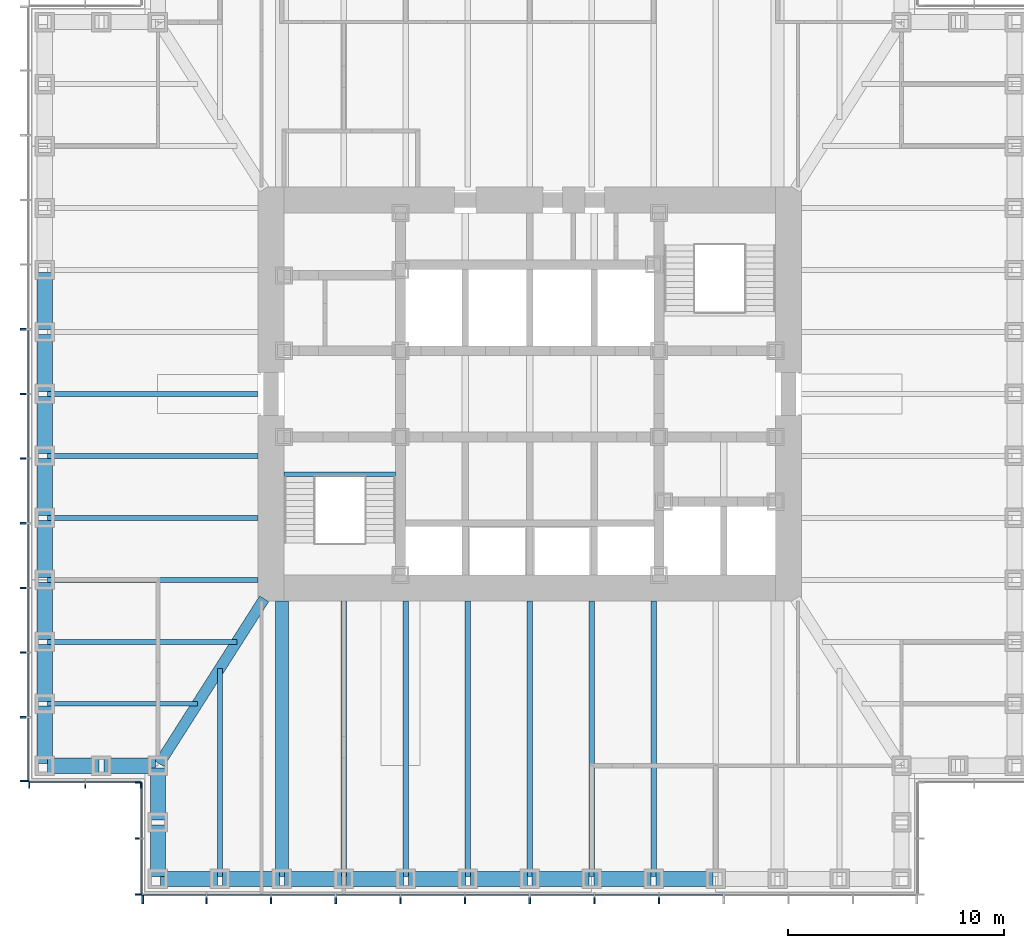
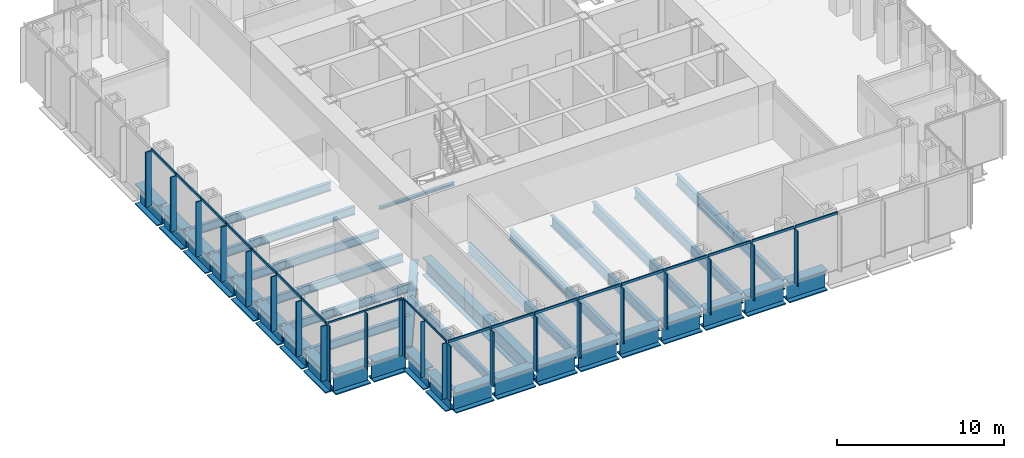
# One storey, part 2 of 17: 43 members, 37 beams, 4 elements without a shape of their own.
"""IFC4 building model written with IfcOpenShell, lengths in metres."""

from ifc_helpers import new_model, si_unit, direction, frame, origin, origin_2d, place, context, subcontext, project, spatial, rectangle, i_section, extrude, material, material_profile, profile_set, type_object, element, aggregate, save


model = new_model("IFC4")

# Units and contexts
model_context = context("Model", 3, precision=1e-05, world=origin(), true_north=direction((0.0, 1.0)))
body_context = subcontext(model_context, "Body", "Model", "MODEL_VIEW")
ifc_project = project(units=[si_unit("LENGTHUNIT", "METRE"), si_unit("AREAUNIT", "SQUARE_METRE"), si_unit("VOLUMEUNIT", "CUBIC_METRE"), si_unit("PLANEANGLEUNIT", "RADIAN"), si_unit("MASSUNIT", "GRAM", prefix="KILO")], contexts=[model_context])

# Site, building, storey
site_placement = place(None, origin())
site = spatial("IfcSite", under=ifc_project, at=site_placement, CompositionType="ELEMENT")
building_placement = place(site_placement, origin())
building = spatial("IfcBuilding", under=site, at=building_placement, Name="Daluyong Arena Tower", CompositionType="ELEMENT")
storey_placement = place(building_placement, frame((0.0, 0.0, 129.10009765625)))
storey = spatial("IfcBuildingStorey", under=building, at=storey_placement, Name="L28", CompositionType="ELEMENT", Elevation=129.10009765625)

# Curtain wall, members
ifc_material_1 = material(Name="Bronze anodised aluminium and glass", Category="aluminium")
curtain_wall_type_1 = type_object("IfcCurtainWallType", Name="Curtain wall CW2", PredefinedType="USERDEFINED", material=ifc_material_1)
curtain_wall_1_placement = place(storey_placement, origin())
curtain_wall_1 = element("IfcCurtainWall", 1, at=curtain_wall_1_placement, inside=storey, type_object=curtain_wall_type_1, Name="curtain wall L28 S", ObjectType="UNITISED CURTAIN WALL", PredefinedType="USERDEFINED")
ifc_material_2 = material(Name="Bronze anodised aluminium fin", Category="aluminium")
ifc_material_profile_1 = material_profile(ifc_material_2, rectangle(XDim=0.39990234375, YDim=0.080078125, at=origin_2d()))
ifc_profile_set_1 = profile_set([ifc_material_profile_1], Name="Bronze anodised aluminium fin")
member_type_1 = type_object("IfcMemberType", Name="CW2 bronze fin 400x80", PredefinedType="MULLION", material=ifc_profile_set_1)
member_1_placement = place(storey_placement, frame((38.0400390625, 56.550048828125, 0.0), z_axis=(0.0, 0.0, 1.0), x_axis=(0.0, 1.0, 0.0)))
member_1 = element("IfcMember", 2, at=member_1_placement, type_object=member_type_1, Name="curtain wall L28 S fin 1", PredefinedType="MULLION", context=body_context, shape_type="SweptSolid", body=[
    extrude(rectangle(XDim=0.39990234375, YDim=0.080078125, at=origin_2d()), origin(), (0.0, 0.0, 1.0), 4.02001953125),
])
member_2_placement = place(storey_placement, frame((41.0, 56.550048828125, 0.0), z_axis=(0.0, 0.0, 1.0), x_axis=(0.0, 1.0, 0.0)))
member_2 = element("IfcMember", 3, at=member_2_placement, type_object=member_type_1, Name="curtain wall L28 S fin 2", PredefinedType="MULLION", context=body_context, shape_type="SweptSolid", body=[
    extrude(rectangle(XDim=0.39990234375, YDim=0.080078125, at=origin_2d()), origin(), (0.0, 0.0, 1.0), 4.02001953125),
])
member_3_placement = place(storey_placement, frame((44.0, 56.550048828125, 0.0), z_axis=(0.0, 0.0, 1.0), x_axis=(0.0, 1.0, 0.0)))
member_3 = element("IfcMember", 4, at=member_3_placement, type_object=member_type_1, Name="curtain wall L28 S fin 3", PredefinedType="MULLION", context=body_context, shape_type="SweptSolid", body=[
    extrude(rectangle(XDim=0.39990234375, YDim=0.080078125, at=origin_2d()), origin(), (0.0, 0.0, 1.0), 4.02001953125),
])
member_4_placement = place(storey_placement, frame((47.0, 56.550048828125, 0.0), z_axis=(0.0, 0.0, 1.0), x_axis=(0.0, 1.0, 0.0)))
member_4 = element("IfcMember", 5, at=member_4_placement, type_object=member_type_1, Name="curtain wall L28 S fin 4", PredefinedType="MULLION", context=body_context, shape_type="SweptSolid", body=[
    extrude(rectangle(XDim=0.39990234375, YDim=0.080078125, at=origin_2d()), origin(), (0.0, 0.0, 1.0), 4.02001953125),
])
member_5_placement = place(storey_placement, frame((50.0, 56.550048828125, 0.0), z_axis=(0.0, 0.0, 1.0), x_axis=(0.0, 1.0, 0.0)))
member_5 = element("IfcMember", 6, at=member_5_placement, type_object=member_type_1, Name="curtain wall L28 S fin 5", PredefinedType="MULLION", context=body_context, shape_type="SweptSolid", body=[
    extrude(rectangle(XDim=0.39990234375, YDim=0.080078125, at=origin_2d()), origin(), (0.0, 0.0, 1.0), 4.02001953125),
])
member_6_placement = place(storey_placement, frame((53.0, 56.550048828125, 0.0), z_axis=(0.0, 0.0, 1.0), x_axis=(0.0, 1.0, 0.0)))
member_6 = element("IfcMember", 7, at=member_6_placement, type_object=member_type_1, Name="curtain wall L28 S fin 6", PredefinedType="MULLION", context=body_context, shape_type="SweptSolid", body=[
    extrude(rectangle(XDim=0.39990234375, YDim=0.080078125, at=origin_2d()), origin(), (0.0, 0.0, 1.0), 4.02001953125),
])
member_7_placement = place(storey_placement, frame((56.0, 56.550048828125, 0.0), z_axis=(0.0, 0.0, 1.0), x_axis=(0.0, 1.0, 0.0)))
member_7 = element("IfcMember", 8, at=member_7_placement, type_object=member_type_1, Name="curtain wall L28 S fin 7", PredefinedType="MULLION", context=body_context, shape_type="SweptSolid", body=[
    extrude(rectangle(XDim=0.39990234375, YDim=0.080078125, at=origin_2d()), origin(), (0.0, 0.0, 1.0), 4.02001953125),
])
member_8_placement = place(storey_placement, frame((59.0, 56.550048828125, 0.0), z_axis=(0.0, 0.0, 1.0), x_axis=(0.0, 1.0, 0.0)))
member_8 = element("IfcMember", 9, at=member_8_placement, type_object=member_type_1, Name="curtain wall L28 S fin 8", PredefinedType="MULLION", context=body_context, shape_type="SweptSolid", body=[
    extrude(rectangle(XDim=0.39990234375, YDim=0.080078125, at=origin_2d()), origin(), (0.0, 0.0, 1.0), 4.02001953125),
])
member_9_placement = place(storey_placement, frame((62.0, 56.550048828125, 0.0), z_axis=(0.0, 0.0, 1.0), x_axis=(0.0, 1.0, 0.0)))
member_9 = element("IfcMember", 10, at=member_9_placement, type_object=member_type_1, Name="curtain wall L28 S fin 9", PredefinedType="MULLION", context=body_context, shape_type="SweptSolid", body=[
    extrude(rectangle(XDim=0.39990234375, YDim=0.080078125, at=origin_2d()), origin(), (0.0, 0.0, 1.0), 4.02001953125),
])

curtain_wall_2_placement = place(storey_placement, origin())
curtain_wall_2 = element("IfcCurtainWall", 11, at=curtain_wall_2_placement, inside=storey, type_object=curtain_wall_type_1, Name="curtain wall L28 W", ObjectType="UNITISED CURTAIN WALL", PredefinedType="USERDEFINED")
member_10_placement = place(storey_placement, frame((32.550048828125, 83.0, 0.0), z_axis=(0.0, 0.0, 1.0), x_axis=(1.0, 0.0, 0.0)))
member_10 = element("IfcMember", 12, at=member_10_placement, type_object=member_type_1, Name="curtain wall L28 W fin 6", PredefinedType="MULLION", context=body_context, shape_type="SweptSolid", body=[
    extrude(rectangle(XDim=0.39990234375, YDim=0.080078125, at=origin_2d()), origin(), (0.0, 0.0, 1.0), 4.02001953125),
])
member_11_placement = place(storey_placement, frame((32.550048828125, 80.0, 0.0), z_axis=(0.0, 0.0, 1.0), x_axis=(1.0, 0.0, 0.0)))
member_11 = element("IfcMember", 13, at=member_11_placement, type_object=member_type_1, Name="curtain wall L28 W fin 7", PredefinedType="MULLION", context=body_context, shape_type="SweptSolid", body=[
    extrude(rectangle(XDim=0.39990234375, YDim=0.080078125, at=origin_2d()), origin(), (0.0, 0.0, 1.0), 4.02001953125),
])
member_12_placement = place(storey_placement, frame((32.550048828125, 77.0, 0.0), z_axis=(0.0, 0.0, 1.0), x_axis=(1.0, 0.0, 0.0)))
member_12 = element("IfcMember", 14, at=member_12_placement, type_object=member_type_1, Name="curtain wall L28 W fin 8", PredefinedType="MULLION", context=body_context, shape_type="SweptSolid", body=[
    extrude(rectangle(XDim=0.39990234375, YDim=0.080078125, at=origin_2d()), origin(), (0.0, 0.0, 1.0), 4.02001953125),
])
member_13_placement = place(storey_placement, frame((32.550048828125, 74.0, 0.0), z_axis=(0.0, 0.0, 1.0), x_axis=(1.0, 0.0, 0.0)))
member_13 = element("IfcMember", 15, at=member_13_placement, type_object=member_type_1, Name="curtain wall L28 W fin 9", PredefinedType="MULLION", context=body_context, shape_type="SweptSolid", body=[
    extrude(rectangle(XDim=0.39990234375, YDim=0.080078125, at=origin_2d()), origin(), (0.0, 0.0, 1.0), 4.02001953125),
])
member_14_placement = place(storey_placement, frame((32.550048828125, 71.0, 0.0), z_axis=(0.0, 0.0, 1.0), x_axis=(1.0, 0.0, 0.0)))
member_14 = element("IfcMember", 16, at=member_14_placement, type_object=member_type_1, Name="curtain wall L28 W fin 10", PredefinedType="MULLION", context=body_context, shape_type="SweptSolid", body=[
    extrude(rectangle(XDim=0.39990234375, YDim=0.080078125, at=origin_2d()), origin(), (0.0, 0.0, 1.0), 4.02001953125),
])
member_15_placement = place(storey_placement, frame((32.550048828125, 68.0, 0.0), z_axis=(0.0, 0.0, 1.0), x_axis=(1.0, 0.0, 0.0)))
member_15 = element("IfcMember", 17, at=member_15_placement, type_object=member_type_1, Name="curtain wall L28 W fin 11", PredefinedType="MULLION", context=body_context, shape_type="SweptSolid", body=[
    extrude(rectangle(XDim=0.39990234375, YDim=0.080078125, at=origin_2d()), origin(), (0.0, 0.0, 1.0), 4.02001953125),
])
member_16_placement = place(storey_placement, frame((32.550048828125, 65.0, 0.0), z_axis=(0.0, 0.0, 1.0), x_axis=(1.0, 0.0, 0.0)))
member_16 = element("IfcMember", 18, at=member_16_placement, type_object=member_type_1, Name="curtain wall L28 W fin 12", PredefinedType="MULLION", context=body_context, shape_type="SweptSolid", body=[
    extrude(rectangle(XDim=0.39990234375, YDim=0.080078125, at=origin_2d()), origin(), (0.0, 0.0, 1.0), 4.02001953125),
])
member_17_placement = place(storey_placement, frame((32.550048828125, 62.0400390625, 0.0), z_axis=(0.0, 0.0, 1.0), x_axis=(1.0, 0.0, 0.0)))
member_17 = element("IfcMember", 19, at=member_17_placement, type_object=member_type_1, Name="curtain wall L28 W fin 13", PredefinedType="MULLION", context=body_context, shape_type="SweptSolid", body=[
    extrude(rectangle(XDim=0.39990234375, YDim=0.080078125, at=origin_2d()), origin(), (0.0, 0.0, 1.0), 4.02001953125),
])

# Member
ifc_material_3 = material(Name="Bronze anodised aluminium", Category="aluminium")
ifc_material_profile_2 = material_profile(ifc_material_3, rectangle(XDim=0.080078125, YDim=0.179931640625, at=origin_2d()))
ifc_profile_set_2 = profile_set([ifc_material_profile_2], Name="Bronze anodised aluminium")
member_type_2 = type_object("IfcMemberType", Name="CW2 stack transom 180x80", PredefinedType="USERDEFINED", material=ifc_profile_set_2)
member_18_placement = place(storey_placement, frame((38.080078125, 56.75, 4.10986328125), z_axis=(1.0, 0.0, 0.0), x_axis=(0.0, 1.0, 0.0)))
member_18 = element("IfcMember", 20, at=member_18_placement, type_object=member_type_2, Name="curtain wall L28 S transom 1", ObjectType="TRANSOM", PredefinedType="USERDEFINED", context=body_context, shape_type="SweptSolid", body=[
    extrude(rectangle(XDim=0.080078125, YDim=0.179931640625, at=origin_2d()), origin(), (0.0, 0.0, 1.0), 2.8798828125),
])

member_19_placement = place(storey_placement, frame((41.0400390625, 56.75, 4.10986328125), z_axis=(1.0, 0.0, 0.0), x_axis=(0.0, 1.0, 0.0)))
member_19 = element("IfcMember", 21, at=member_19_placement, type_object=member_type_2, Name="curtain wall L28 S transom 2", ObjectType="TRANSOM", PredefinedType="USERDEFINED", context=body_context, shape_type="SweptSolid", body=[
    extrude(rectangle(XDim=0.080078125, YDim=0.179931640625, at=origin_2d()), origin(), (0.0, 0.0, 1.0), 2.919921875),
])

member_20_placement = place(storey_placement, frame((44.0400390625, 56.75, 4.10986328125), z_axis=(1.0, 0.0, 0.0), x_axis=(0.0, 1.0, 0.0)))
member_20 = element("IfcMember", 22, at=member_20_placement, type_object=member_type_2, Name="curtain wall L28 S transom 3", ObjectType="TRANSOM", PredefinedType="USERDEFINED", context=body_context, shape_type="SweptSolid", body=[
    extrude(rectangle(XDim=0.080078125, YDim=0.179931640625, at=origin_2d()), origin(), (0.0, 0.0, 1.0), 2.919921875),
])

member_21_placement = place(storey_placement, frame((47.0400390625, 56.75, 4.10986328125), z_axis=(1.0, 0.0, 0.0), x_axis=(0.0, 1.0, 0.0)))
member_21 = element("IfcMember", 23, at=member_21_placement, type_object=member_type_2, Name="curtain wall L28 S transom 4", ObjectType="TRANSOM", PredefinedType="USERDEFINED", context=body_context, shape_type="SweptSolid", body=[
    extrude(rectangle(XDim=0.080078125, YDim=0.179931640625, at=origin_2d()), origin(), (0.0, 0.0, 1.0), 2.919921875),
])

member_22_placement = place(storey_placement, frame((50.0400390625, 56.75, 4.10986328125), z_axis=(1.0, 0.0, 0.0), x_axis=(0.0, 1.0, 0.0)))
member_22 = element("IfcMember", 24, at=member_22_placement, type_object=member_type_2, Name="curtain wall L28 S transom 5", ObjectType="TRANSOM", PredefinedType="USERDEFINED", context=body_context, shape_type="SweptSolid", body=[
    extrude(rectangle(XDim=0.080078125, YDim=0.179931640625, at=origin_2d()), origin(), (0.0, 0.0, 1.0), 2.919921875),
])

member_23_placement = place(storey_placement, frame((53.0400390625, 56.75, 4.10986328125), z_axis=(1.0, 0.0, 0.0), x_axis=(0.0, 1.0, 0.0)))
member_23 = element("IfcMember", 25, at=member_23_placement, type_object=member_type_2, Name="curtain wall L28 S transom 6", ObjectType="TRANSOM", PredefinedType="USERDEFINED", context=body_context, shape_type="SweptSolid", body=[
    extrude(rectangle(XDim=0.080078125, YDim=0.179931640625, at=origin_2d()), origin(), (0.0, 0.0, 1.0), 2.919921875),
])

member_24_placement = place(storey_placement, frame((56.0400390625, 56.75, 4.10986328125), z_axis=(1.0, 0.0, 0.0), x_axis=(0.0, 1.0, 0.0)))
member_24 = element("IfcMember", 26, at=member_24_placement, type_object=member_type_2, Name="curtain wall L28 S transom 7", ObjectType="TRANSOM", PredefinedType="USERDEFINED", context=body_context, shape_type="SweptSolid", body=[
    extrude(rectangle(XDim=0.080078125, YDim=0.179931640625, at=origin_2d()), origin(), (0.0, 0.0, 1.0), 2.919921875),
])

member_25_placement = place(storey_placement, frame((59.0400390625, 56.75, 4.10986328125), z_axis=(1.0, 0.0, 0.0), x_axis=(0.0, 1.0, 0.0)))
member_25 = element("IfcMember", 27, at=member_25_placement, type_object=member_type_2, Name="curtain wall L28 S transom 8", ObjectType="TRANSOM", PredefinedType="USERDEFINED", context=body_context, shape_type="SweptSolid", body=[
    extrude(rectangle(XDim=0.080078125, YDim=0.179931640625, at=origin_2d()), origin(), (0.0, 0.0, 1.0), 2.919921875),
])

member_26_placement = place(storey_placement, frame((62.0400390625, 56.75, 4.10986328125), z_axis=(1.0, 0.0, 0.0), x_axis=(0.0, 1.0, 0.0)))
member_26 = element("IfcMember", 28, at=member_26_placement, type_object=member_type_2, Name="curtain wall L28 S transom 9", ObjectType="TRANSOM", PredefinedType="USERDEFINED", context=body_context, shape_type="SweptSolid", body=[
    extrude(rectangle(XDim=0.080078125, YDim=0.179931640625, at=origin_2d()), origin(), (0.0, 0.0, 1.0), 2.919921875),
])

aggregate(curtain_wall_1, [member_1, member_2, member_3, member_4, member_5, member_6, member_7, member_8, member_9, member_18, member_19, member_20, member_21, member_22, member_23, member_24, member_25, member_26])

member_27_placement = place(storey_placement, frame((32.75, 82.9599609375, 4.10986328125), z_axis=(0.0, -1.0, 0.0), x_axis=(1.0, 0.0, 0.0)))
member_27 = element("IfcMember", 29, at=member_27_placement, type_object=member_type_2, Name="curtain wall L28 W transom 6", ObjectType="TRANSOM", PredefinedType="USERDEFINED", context=body_context, shape_type="SweptSolid", body=[
    extrude(rectangle(XDim=0.080078125, YDim=0.179931640625, at=origin_2d()), origin(), (0.0, 0.0, 1.0), 2.919921875),
])

member_28_placement = place(storey_placement, frame((32.75, 79.9599609375, 4.10986328125), z_axis=(0.0, -1.0, 0.0), x_axis=(1.0, 0.0, 0.0)))
member_28 = element("IfcMember", 30, at=member_28_placement, type_object=member_type_2, Name="curtain wall L28 W transom 7", ObjectType="TRANSOM", PredefinedType="USERDEFINED", context=body_context, shape_type="SweptSolid", body=[
    extrude(rectangle(XDim=0.080078125, YDim=0.179931640625, at=origin_2d()), origin(), (0.0, 0.0, 1.0), 2.919921875),
])

member_29_placement = place(storey_placement, frame((32.75, 76.9599609375, 4.10986328125), z_axis=(0.0, -1.0, 0.0), x_axis=(1.0, 0.0, 0.0)))
member_29 = element("IfcMember", 31, at=member_29_placement, type_object=member_type_2, Name="curtain wall L28 W transom 8", ObjectType="TRANSOM", PredefinedType="USERDEFINED", context=body_context, shape_type="SweptSolid", body=[
    extrude(rectangle(XDim=0.080078125, YDim=0.179931640625, at=origin_2d()), origin(), (0.0, 0.0, 1.0), 2.919921875),
])

member_30_placement = place(storey_placement, frame((32.75, 73.9599609375, 4.10986328125), z_axis=(0.0, -1.0, 0.0), x_axis=(1.0, 0.0, 0.0)))
member_30 = element("IfcMember", 32, at=member_30_placement, type_object=member_type_2, Name="curtain wall L28 W transom 9", ObjectType="TRANSOM", PredefinedType="USERDEFINED", context=body_context, shape_type="SweptSolid", body=[
    extrude(rectangle(XDim=0.080078125, YDim=0.179931640625, at=origin_2d()), origin(), (0.0, 0.0, 1.0), 2.919921875),
])

member_31_placement = place(storey_placement, frame((32.75, 70.9599609375, 4.10986328125), z_axis=(0.0, -1.0, 0.0), x_axis=(1.0, 0.0, 0.0)))
member_31 = element("IfcMember", 33, at=member_31_placement, type_object=member_type_2, Name="curtain wall L28 W transom 10", ObjectType="TRANSOM", PredefinedType="USERDEFINED", context=body_context, shape_type="SweptSolid", body=[
    extrude(rectangle(XDim=0.080078125, YDim=0.179931640625, at=origin_2d()), origin(), (0.0, 0.0, 1.0), 2.919921875),
])

member_32_placement = place(storey_placement, frame((32.75, 67.9599609375, 4.10986328125), z_axis=(0.0, -1.0, 0.0), x_axis=(1.0, 0.0, 0.0)))
member_32 = element("IfcMember", 34, at=member_32_placement, type_object=member_type_2, Name="curtain wall L28 W transom 11", ObjectType="TRANSOM", PredefinedType="USERDEFINED", context=body_context, shape_type="SweptSolid", body=[
    extrude(rectangle(XDim=0.080078125, YDim=0.179931640625, at=origin_2d()), origin(), (0.0, 0.0, 1.0), 2.919921875),
])

member_33_placement = place(storey_placement, frame((32.75, 64.9599609375, 4.10986328125), z_axis=(0.0, -1.0, 0.0), x_axis=(1.0, 0.0, 0.0)))
member_33 = element("IfcMember", 35, at=member_33_placement, type_object=member_type_2, Name="curtain wall L28 W transom 12", ObjectType="TRANSOM", PredefinedType="USERDEFINED", context=body_context, shape_type="SweptSolid", body=[
    extrude(rectangle(XDim=0.080078125, YDim=0.179931640625, at=origin_2d()), origin(), (0.0, 0.0, 1.0), 2.8798828125),
])

aggregate(curtain_wall_2, [member_10, member_11, member_12, member_13, member_14, member_15, member_16, member_17, member_27, member_28, member_29, member_30, member_31, member_32, member_33])

# Curtain wall, members
ifc_material_4 = material(Name="Bronze anodised aluminium and glass", Category="aluminium")
curtain_wall_type_2 = type_object("IfcCurtainWallType", Name="Curtain wall CW7", PredefinedType="USERDEFINED", material=ifc_material_4)
curtain_wall_3_placement = place(storey_placement, origin())
curtain_wall_3 = element("IfcCurtainWall", 36, at=curtain_wall_3_placement, inside=storey, type_object=curtain_wall_type_2, Name="curtain wall L28 SW-S", ObjectType="UNITISED CURTAIN WALL", PredefinedType="USERDEFINED")
ifc_material_5 = material(Name="Bronze anodised aluminium fin", Category="aluminium")
ifc_material_profile_3 = material_profile(ifc_material_5, rectangle(XDim=0.300048828125, YDim=0.06005859375, at=origin_2d()))
ifc_profile_set_3 = profile_set([ifc_material_profile_3], Name="Bronze anodised aluminium fin")
member_type_3 = type_object("IfcMemberType", Name="CW7 bronze fin 300x60", PredefinedType="MULLION", material=ifc_profile_set_3)
member_34_placement = place(storey_placement, frame((32.780029296875, 61.85009765625, 0.0), z_axis=(0.0, 0.0, 1.0), x_axis=(0.0, 1.0, 0.0)))
member_34 = element("IfcMember", 37, at=member_34_placement, type_object=member_type_3, Name="curtain wall L28 SW-S fin 1", PredefinedType="MULLION", context=body_context, shape_type="SweptSolid", body=[
    extrude(rectangle(XDim=0.300048828125, YDim=0.06005859375, at=origin_2d()), origin(), (0.0, 0.0, 1.0), 4.079833984375),
])
member_35_placement = place(storey_placement, frame((35.375, 61.85009765625, 0.0), z_axis=(0.0, 0.0, 1.0), x_axis=(0.0, 1.0, 0.0)))
member_35 = element("IfcMember", 38, at=member_35_placement, type_object=member_type_3, Name="curtain wall L28 SW-S fin 2", PredefinedType="MULLION", context=body_context, shape_type="SweptSolid", body=[
    extrude(rectangle(XDim=0.300048828125, YDim=0.06005859375, at=origin_2d()), origin(), (0.0, 0.0, 1.0), 4.079833984375),
])
member_36_placement = place(storey_placement, frame((37.969970703125, 61.85009765625, 0.0), z_axis=(0.0, 0.0, 1.0), x_axis=(0.0, 1.0, 0.0)))
member_36 = element("IfcMember", 39, at=member_36_placement, type_object=member_type_3, Name="curtain wall L28 SW-S fin 3", PredefinedType="MULLION", context=body_context, shape_type="SweptSolid", body=[
    extrude(rectangle(XDim=0.300048828125, YDim=0.06005859375, at=origin_2d()), origin(), (0.0, 0.0, 1.0), 4.079833984375),
])

curtain_wall_4_placement = place(storey_placement, origin())
curtain_wall_4 = element("IfcCurtainWall", 40, at=curtain_wall_4_placement, inside=storey, type_object=curtain_wall_type_2, Name="curtain wall L28 SW-W", ObjectType="UNITISED CURTAIN WALL", PredefinedType="USERDEFINED")
member_37_placement = place(storey_placement, frame((37.85009765625, 61.969970703125, 0.0), z_axis=(0.0, 0.0, 1.0), x_axis=(1.0, 0.0, 0.0)))
member_37 = element("IfcMember", 41, at=member_37_placement, type_object=member_type_3, Name="curtain wall L28 SW-W fin 1", PredefinedType="MULLION", context=body_context, shape_type="SweptSolid", body=[
    extrude(rectangle(XDim=0.300048828125, YDim=0.06005859375, at=origin_2d()), origin(), (0.0, 0.0, 1.0), 4.079833984375),
])
member_38_placement = place(storey_placement, frame((37.85009765625, 59.375, 0.0), z_axis=(0.0, 0.0, 1.0), x_axis=(1.0, 0.0, 0.0)))
member_38 = element("IfcMember", 42, at=member_38_placement, type_object=member_type_3, Name="curtain wall L28 SW-W fin 2", PredefinedType="MULLION", context=body_context, shape_type="SweptSolid", body=[
    extrude(rectangle(XDim=0.300048828125, YDim=0.06005859375, at=origin_2d()), origin(), (0.0, 0.0, 1.0), 4.079833984375),
])
member_39_placement = place(storey_placement, frame((37.85009765625, 56.780029296875, 0.0), z_axis=(0.0, 0.0, 1.0), x_axis=(1.0, 0.0, 0.0)))
member_39 = element("IfcMember", 43, at=member_39_placement, type_object=member_type_3, Name="curtain wall L28 SW-W fin 3", PredefinedType="MULLION", context=body_context, shape_type="SweptSolid", body=[
    extrude(rectangle(XDim=0.300048828125, YDim=0.06005859375, at=origin_2d()), origin(), (0.0, 0.0, 1.0), 4.079833984375),
])

# Member
ifc_material_6 = material(Name="Bronze anodised aluminium", Category="aluminium")
ifc_material_profile_4 = material_profile(ifc_material_6, rectangle(XDim=0.06005859375, YDim=0.1201171875, at=origin_2d()))
ifc_profile_set_4 = profile_set([ifc_material_profile_4], Name="Bronze anodised aluminium")
member_type_4 = type_object("IfcMemberType", Name="CW7 stack transom 120x60", PredefinedType="USERDEFINED", material=ifc_profile_set_4)
member_40_placement = place(storey_placement, frame((32.81005859375, 62.0, 4.139892578125), z_axis=(1.0, 0.0, 0.0), x_axis=(0.0, 1.0, 0.0)))
member_40 = element("IfcMember", 44, at=member_40_placement, type_object=member_type_4, Name="curtain wall L28 SW-S transom 1", ObjectType="TRANSOM", PredefinedType="USERDEFINED", context=body_context, shape_type="SweptSolid", body=[
    extrude(rectangle(XDim=0.06005859375, YDim=0.1201171875, at=origin_2d()), origin(), (0.0, 0.0, 1.0), 2.534912109375),
])

member_41_placement = place(storey_placement, frame((35.405029296875, 62.0, 4.139892578125), z_axis=(1.0, 0.0, 0.0), x_axis=(0.0, 1.0, 0.0)))
member_41 = element("IfcMember", 45, at=member_41_placement, type_object=member_type_4, Name="curtain wall L28 SW-S transom 2", ObjectType="TRANSOM", PredefinedType="USERDEFINED", context=body_context, shape_type="SweptSolid", body=[
    extrude(rectangle(XDim=0.06005859375, YDim=0.1201171875, at=origin_2d()), origin(), (0.0, 0.0, 1.0), 2.534912109375),
])

aggregate(curtain_wall_3, [member_34, member_35, member_36, member_40, member_41])

member_42_placement = place(storey_placement, frame((38.0, 61.93994140625, 4.139892578125), z_axis=(0.0, -1.0, 0.0), x_axis=(1.0, 0.0, 0.0)))
member_42 = element("IfcMember", 46, at=member_42_placement, type_object=member_type_4, Name="curtain wall L28 SW-W transom 1", ObjectType="TRANSOM", PredefinedType="USERDEFINED", context=body_context, shape_type="SweptSolid", body=[
    extrude(rectangle(XDim=0.06005859375, YDim=0.1201171875, at=origin_2d()), origin(), (0.0, 0.0, 1.0), 2.534912109375),
])

member_43_placement = place(storey_placement, frame((38.0, 59.344970703125, 4.139892578125), z_axis=(0.0, -1.0, 0.0), x_axis=(1.0, 0.0, 0.0)))
member_43 = element("IfcMember", 47, at=member_43_placement, type_object=member_type_4, Name="curtain wall L28 SW-W transom 2", ObjectType="TRANSOM", PredefinedType="USERDEFINED", context=body_context, shape_type="SweptSolid", body=[
    extrude(rectangle(XDim=0.06005859375, YDim=0.1201171875, at=origin_2d()), origin(), (0.0, 0.0, 1.0), 2.534912109375),
])

aggregate(curtain_wall_4, [member_37, member_38, member_39, member_42, member_43])

# Beams
ifc_material_7 = material(Name="Steel ASTM A572 Grade 50", Category="steel")
ifc_material_profile_5 = material_profile(ifc_material_7, i_section(OverallWidth=0.5, OverallDepth=1.0, WebThickness=0.03, FlangeThickness=0.06, at=origin_2d()))
ifc_profile_set_5 = profile_set([ifc_material_profile_5], Name="Steel ASTM A572 Grade 50")
beam_type_1 = type_object("IfcBeamType", Name="Corner girder TB1000X500", PredefinedType="BEAM", material=ifc_profile_set_5)
beam_1_placement = place(storey_placement, frame((38.811767578125, 62.846923828125, -0.66015625), z_axis=(0.536872006459, 0.843663705916, 0.0), x_axis=(-0.843663705916, 0.536872006459, 0.0)))
element("IfcBeam", 48, at=beam_1_placement, inside=storey, type_object=beam_type_1, Name="corner girder DG2", PredefinedType="BEAM", context=body_context, shape_type="SweptSolid", body=[
    extrude(i_section(OverallWidth=0.5, OverallDepth=1.0, WebThickness=0.03, FlangeThickness=0.06, at=origin_2d()), origin(), (0.0, 0.0, 1.0), 9.06396484375),
])
ifc_material_8 = material(Name="Steel ASTM A572 Grade 50", Category="steel")
ifc_material_profile_6 = material_profile(ifc_material_8, i_section(OverallWidth=0.60009765625, OverallDepth=1.300048828125, WebThickness=0.035, FlangeThickness=0.07, at=origin_2d()))
ifc_profile_set_6 = profile_set([ifc_material_profile_6], Name="Steel ASTM A572 Grade 50")
beam_type_2 = type_object("IfcBeamType", Name="Floor beam TB1300X600", PredefinedType="BEAM", material=ifc_profile_set_6)
beam_2_placement = place(storey_placement, frame((44.5, 57.614990234375, -0.81005859375), z_axis=(0.0, 1.0, 0.0), x_axis=(-1.0, 0.0, 0.0)))
element("IfcBeam", 49, at=beam_2_placement, inside=storey, type_object=beam_type_2, Name="floor beam FB7", PredefinedType="BEAM", context=body_context, shape_type="SweptSolid", body=[
    extrude(i_section(OverallWidth=0.60009765625, OverallDepth=1.300048828125, WebThickness=0.035, FlangeThickness=0.07, at=origin_2d()), origin(), (0.0, 0.0, 1.0), 12.784912109375),
])
ifc_material_9 = material(Name="Steel ASTM A992 Grade 50", Category="steel")
ifc_material_profile_7 = material_profile(ifc_material_9, i_section(OverallWidth=0.22900390625, OverallDepth=0.612060546875, WebThickness=0.011962890625, FlangeThickness=0.01953125, at=origin_2d()))
ifc_profile_set_7 = profile_set([ifc_material_profile_7], Name="Steel ASTM A992 Grade 50")
beam_type_3 = type_object("IfcBeamType", Name="Floor beam W24X84", PredefinedType="BEAM", material=ifc_profile_set_7)
beam_3_placement = place(storey_placement, frame((41.625, 57.614990234375, -0.466064453125), z_axis=(0.0, 1.0, 0.0), x_axis=(-1.0, 0.0, 0.0)))
element("IfcBeam", 50, at=beam_3_placement, inside=storey, type_object=beam_type_3, Name="floor beam FB3", PredefinedType="BEAM", context=body_context, shape_type="SweptSolid", body=[
    extrude(i_section(OverallWidth=0.22900390625, OverallDepth=0.612060546875, WebThickness=0.011962890625, FlangeThickness=0.01953125, at=origin_2d()), origin(), (0.0, 0.0, 1.0), 9.65283203125),
])
for number, where, z_axis, x_axis, name in (
    (51, (33.614990234375, 80.0, -0.466064453125), (1.0, 0.0, 0.0), (0.0, 1.0, 0.0), "floor beam FB3"),
    (52, (33.614990234375, 77.125, -0.466064453125), (1.0, 0.0, 0.0), (0.0, 1.0, 0.0), "floor beam FB3"),
    (53, (33.614990234375, 74.25, -0.466064453125), (1.0, 0.0, 0.0), (0.0, 1.0, 0.0), "floor beam FB3"),
    (54, (33.614990234375, 71.375, -0.466064453125), (1.0, 0.0, 0.0), (0.0, 1.0, 0.0), "floor beam FB3"),
):
    element("IfcBeam", number, at=place(storey_placement, frame(where, z_axis=z_axis, x_axis=x_axis)), inside=storey, type_object=beam_type_3, Name=name, PredefinedType="BEAM", context=body_context, shape_type="SweptSolid", body=[
        extrude(i_section(OverallWidth=0.22900390625, OverallDepth=0.612060546875, WebThickness=0.011962890625, FlangeThickness=0.01953125, at=origin_2d()), origin(), (0.0, 0.0, 1.0), 9.784912109375),
    ])
beam_4_placement = place(storey_placement, frame((33.614990234375, 68.5, -0.466064453125), z_axis=(1.0, 0.0, 0.0), x_axis=(0.0, 1.0, 0.0)))
element("IfcBeam", 55, at=beam_4_placement, inside=storey, type_object=beam_type_3, Name="floor beam FB3", PredefinedType="BEAM", context=body_context, shape_type="SweptSolid", body=[
    extrude(i_section(OverallWidth=0.22900390625, OverallDepth=0.612060546875, WebThickness=0.011962890625, FlangeThickness=0.01953125, at=origin_2d()), origin(), (0.0, 0.0, 1.0), 8.794189453125),
])
beam_5_placement = place(storey_placement, frame((33.614990234375, 65.625, -0.466064453125), z_axis=(1.0, 0.0, 0.0), x_axis=(0.0, 1.0, 0.0)))
element("IfcBeam", 56, at=beam_5_placement, inside=storey, type_object=beam_type_3, Name="floor beam FB3", PredefinedType="BEAM", context=body_context, shape_type="SweptSolid", body=[
    extrude(i_section(OverallWidth=0.22900390625, OverallDepth=0.612060546875, WebThickness=0.011962890625, FlangeThickness=0.01953125, at=origin_2d()), origin(), (0.0, 0.0, 1.0), 6.964599609375),
])
ifc_material_10 = material(Name="Steel ASTM A992 Grade 50", Category="steel")
ifc_material_profile_8 = material_profile(ifc_material_10, i_section(OverallWidth=0.2666015625, OverallDepth=0.761962890625, WebThickness=0.014404296875, FlangeThickness=0.021484375, at=origin_2d()))
ifc_profile_set_8 = profile_set([ifc_material_profile_8], Name="Steel ASTM A992 Grade 50")
beam_type_4 = type_object("IfcBeamType", Name="Floor beam W30X116", PredefinedType="BEAM", material=ifc_profile_set_8)
for number, where, z_axis, x_axis, name in (
    (57, (47.375, 57.614990234375, -0.541015625), (0.0, 1.0, 0.0), (-1.0, 0.0, 0.0), "floor beam FB4"),
    (58, (50.25, 57.614990234375, -0.541015625), (0.0, 1.0, 0.0), (-1.0, 0.0, 0.0), "floor beam FB4"),
    (59, (53.125, 57.614990234375, -0.541015625), (0.0, 1.0, 0.0), (-1.0, 0.0, 0.0), "floor beam FB4"),
    (60, (56.0, 57.614990234375, -0.541015625), (0.0, 1.0, 0.0), (-1.0, 0.0, 0.0), "floor beam FB4"),
    (61, (58.875, 57.614990234375, -0.541015625), (0.0, 1.0, 0.0), (-1.0, 0.0, 0.0), "floor beam FB4"),
    (62, (61.75, 57.614990234375, -0.541015625), (0.0, 1.0, 0.0), (-1.0, 0.0, 0.0), "floor beam FB4"),
):
    element("IfcBeam", number, at=place(storey_placement, frame(where, z_axis=z_axis, x_axis=x_axis)), inside=storey, type_object=beam_type_4, Name=name, PredefinedType="BEAM", context=body_context, shape_type="SweptSolid", body=[
        extrude(i_section(OverallWidth=0.2666015625, OverallDepth=0.761962890625, WebThickness=0.014404296875, FlangeThickness=0.021484375, at=origin_2d()), origin(), (0.0, 0.0, 1.0), 12.784912109375),
    ])
ifc_material_11 = material(Name="Steel ASTM A572 Grade 50", Category="steel")
ifc_material_profile_9 = material_profile(ifc_material_11, i_section(OverallWidth=0.699951171875, OverallDepth=1.5, WebThickness=0.04, FlangeThickness=0.08, at=origin_2d()))
ifc_profile_set_9 = profile_set([ifc_material_profile_9], Name="Steel ASTM A572 Grade 50")
beam_type_5 = type_object("IfcBeamType", Name="Spandrel Z2 PG1500X700", PredefinedType="SPANDREL", material=ifc_profile_set_9)
for number, where, z_axis, x_axis, name in (
    (63, (38.864990234375, 57.5, -0.91015625), (1.0, 0.0, 0.0), (0.0, 1.0, 0.0), "spandrel z2 SB6"),
    (64, (41.739990234375, 57.5, -0.91015625), (1.0, 0.0, 0.0), (0.0, 1.0, 0.0), "spandrel z2 SB6"),
    (65, (44.614990234375, 57.5, -0.91015625), (1.0, 0.0, 0.0), (0.0, 1.0, 0.0), "spandrel z2 SB6"),
    (66, (47.489990234375, 57.5, -0.91015625), (1.0, 0.0, 0.0), (0.0, 1.0, 0.0), "spandrel z2 SB6"),
    (67, (50.364990234375, 57.5, -0.91015625), (1.0, 0.0, 0.0), (0.0, 1.0, 0.0), "spandrel z2 SB6"),
    (68, (53.239990234375, 57.5, -0.91015625), (1.0, 0.0, 0.0), (0.0, 1.0, 0.0), "spandrel z2 SB6"),
    (69, (56.114990234375, 57.5, -0.91015625), (1.0, 0.0, 0.0), (0.0, 1.0, 0.0), "spandrel z2 SB6"),
    (70, (58.989990234375, 57.5, -0.91015625), (1.0, 0.0, 0.0), (0.0, 1.0, 0.0), "spandrel z2 SB6"),
    (71, (61.864990234375, 57.5, -0.91015625), (1.0, 0.0, 0.0), (0.0, 1.0, 0.0), "spandrel z2 SB6"),
    (72, (33.5, 85.635009765625, -0.91015625), (0.0, -1.0, 0.0), (1.0, 0.0, 0.0), "spandrel z2 SB6"),
    (73, (33.5, 82.760009765625, -0.91015625), (0.0, -1.0, 0.0), (1.0, 0.0, 0.0), "spandrel z2 SB6"),
    (74, (33.5, 79.885009765625, -0.91015625), (0.0, -1.0, 0.0), (1.0, 0.0, 0.0), "spandrel z2 SB6"),
    (75, (33.5, 77.010009765625, -0.91015625), (0.0, -1.0, 0.0), (1.0, 0.0, 0.0), "spandrel z2 SB6"),
    (76, (33.5, 74.135009765625, -0.91015625), (0.0, -1.0, 0.0), (1.0, 0.0, 0.0), "spandrel z2 SB6"),
    (77, (33.5, 71.260009765625, -0.91015625), (0.0, -1.0, 0.0), (1.0, 0.0, 0.0), "spandrel z2 SB6"),
    (78, (33.5, 68.385009765625, -0.91015625), (0.0, -1.0, 0.0), (1.0, 0.0, 0.0), "spandrel z2 SB6"),
    (79, (33.5, 65.510009765625, -0.91015625), (0.0, -1.0, 0.0), (1.0, 0.0, 0.0), "spandrel z2 SB6"),
):
    element("IfcBeam", number, at=place(storey_placement, frame(where, z_axis=z_axis, x_axis=x_axis)), inside=storey, type_object=beam_type_5, Name=name, PredefinedType="SPANDREL", context=body_context, shape_type="SweptSolid", body=[
        extrude(i_section(OverallWidth=0.699951171875, OverallDepth=1.5, WebThickness=0.04, FlangeThickness=0.08, at=origin_2d()), origin(), (0.0, 0.0, 1.0), 2.64501953125),
    ])
for number, where, z_axis, x_axis, name in (
    (80, (33.614990234375, 62.75, -0.91015625), (1.0, 0.0, 0.0), (0.0, 1.0, 0.0), "spandrel z2 SB6"),
    (81, (36.239990234375, 62.75, -0.91015625), (1.0, 0.0, 0.0), (0.0, 1.0, 0.0), "spandrel z2 SB6"),
    (82, (38.75, 62.635009765625, -0.91015625), (0.0, -1.0, 0.0), (1.0, 0.0, 0.0), "spandrel z2 SB6"),
    (83, (38.75, 60.010009765625, -0.91015625), (0.0, -1.0, 0.0), (1.0, 0.0, 0.0), "spandrel z2 SB6"),
):
    element("IfcBeam", number, at=place(storey_placement, frame(where, z_axis=z_axis, x_axis=x_axis)), inside=storey, type_object=beam_type_5, Name=name, PredefinedType="SPANDREL", context=body_context, shape_type="SweptSolid", body=[
        extrude(i_section(OverallWidth=0.699951171875, OverallDepth=1.5, WebThickness=0.04, FlangeThickness=0.08, at=origin_2d()), origin(), (0.0, 0.0, 1.0), 2.39501953125),
    ])
ifc_material_12 = material(Name="Steel ASTM A992 Grade 50", Category="steel")
ifc_material_profile_10 = material_profile(ifc_material_12, i_section(OverallWidth=0.203125, OverallDepth=0.203125, WebThickness=0.00732421875, FlangeThickness=0.010986328125, at=origin_2d()))
ifc_profile_set_10 = profile_set([ifc_material_profile_10], Name="Steel ASTM A992 Grade 50")
beam_type_6 = type_object("IfcBeamType", Name="Stair landing beam W8X31", PredefinedType="BEAM", material=ifc_profile_set_10)
beam_6_placement = place(storey_placement, frame((44.60009765625, 76.276611328125, -0.26171875), z_axis=(1.0, 0.0, 0.0), x_axis=(0.0, 1.0, 0.0)))
element("IfcBeam", 84, at=beam_6_placement, inside=storey, type_object=beam_type_6, Name="exit stair A landing beam", PredefinedType="BEAM", context=body_context, shape_type="SweptSolid", body=[
    extrude(i_section(OverallWidth=0.203125, OverallDepth=0.203125, WebThickness=0.00732421875, FlangeThickness=0.010986328125, at=origin_2d()), origin(), (0.0, 0.0, 1.0), 5.1748046875),
])

save(model, "model.ifc")
